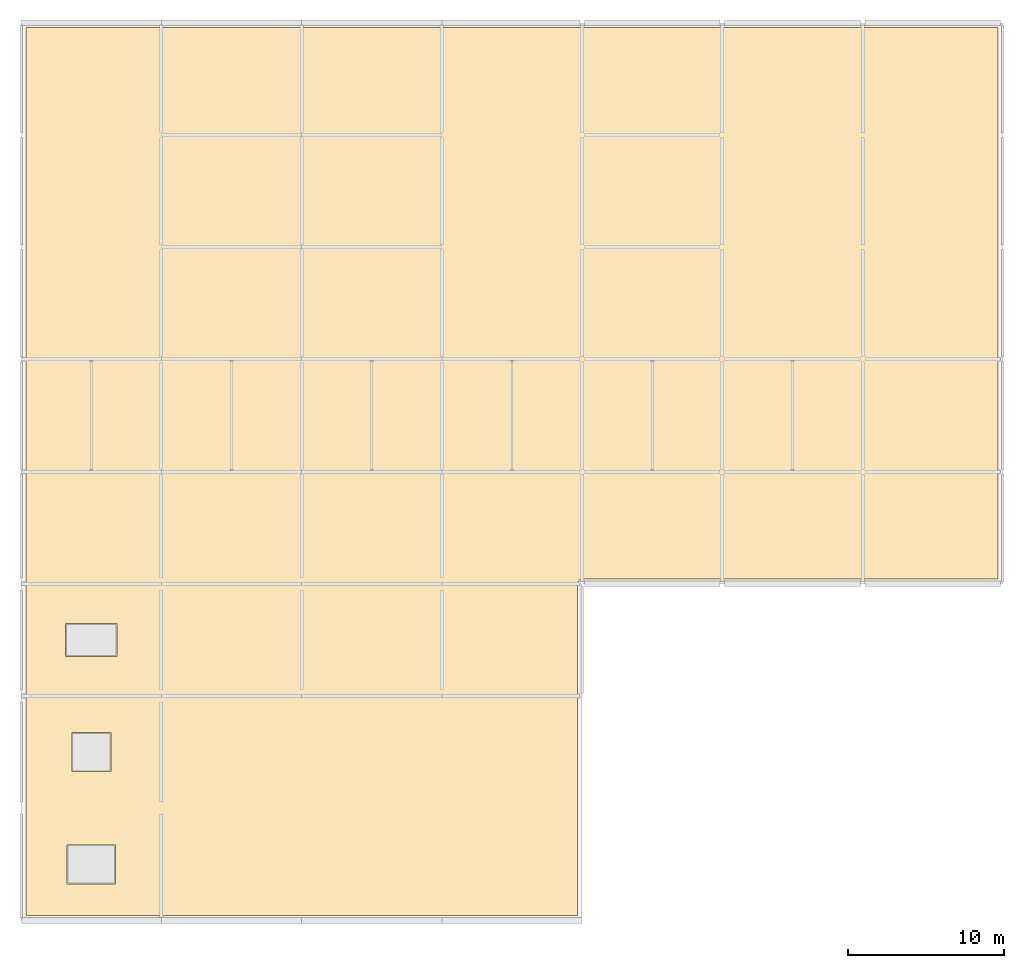
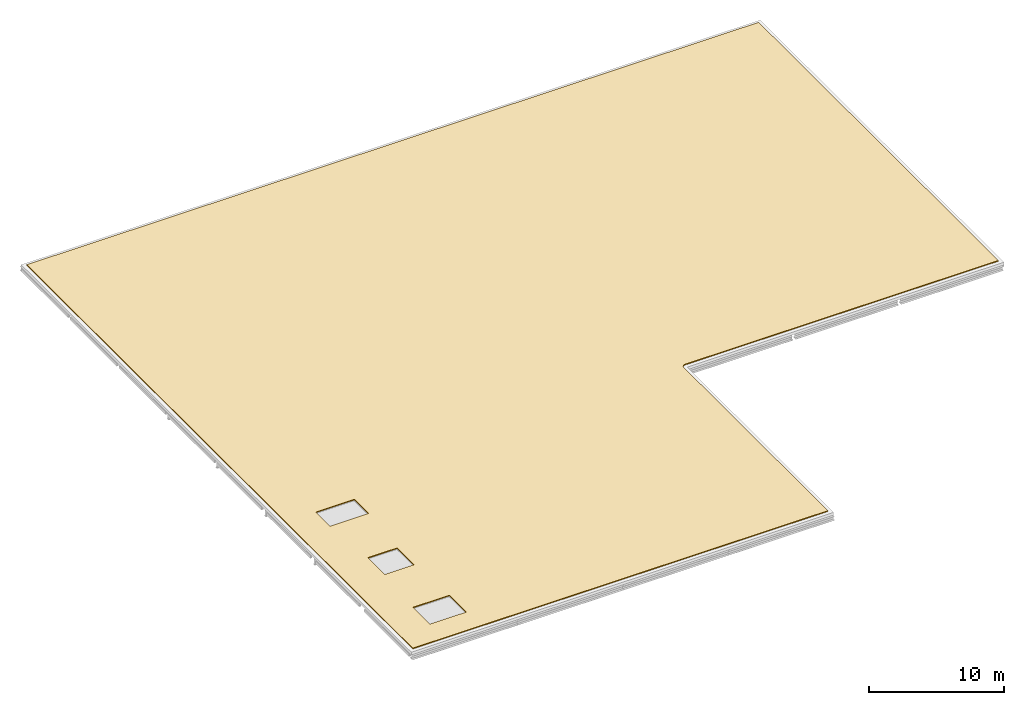
# One storey, part 7 of 7: 1 covering.
"""IFC4 building model written with IfcOpenShell, lengths in metres."""

from ifc_helpers import new_model, si_unit, direction, frame, origin, place, context, subcontext, project, spatial, polyline, outline, extrude, material, layer, layer_set, type_object, element, save


model = new_model("IFC4")

# Units and contexts
model_context = context("Model", 3, precision=1e-05, world=origin(), true_north=direction((0.0, 1.0)))
body_context = subcontext(model_context, "Body", "Model", "MODEL_VIEW")
ifc_project = project(units=[si_unit("LENGTHUNIT", "METRE"), si_unit("AREAUNIT", "SQUARE_METRE"), si_unit("VOLUMEUNIT", "CUBIC_METRE"), si_unit("PLANEANGLEUNIT", "RADIAN"), si_unit("MASSUNIT", "GRAM", prefix="KILO")], contexts=[model_context])

# Site, building, storey
site_placement = place(None, origin())
site = spatial("IfcSite", under=ifc_project, at=site_placement, CompositionType="ELEMENT")
building_placement = place(site_placement, origin())
building = spatial("IfcBuilding", under=site, at=building_placement, Name="Celestram Park Convention Centre", CompositionType="ELEMENT")
storey_placement = place(building_placement, frame((0.0, 0.0, 28.800048828125)))
storey = spatial("IfcBuildingStorey", under=building, at=storey_placement, Name="RF", CompositionType="ELEMENT", Elevation=28.800048828125)

# Covering
ifc_material = material(Name="TPO Membrane & Polyisocyanurate Roof Insulation", Category="insulation")
ifc_layer = layer(ifc_material, 0.080078125)
ifc_layer_set = layer_set([ifc_layer], Name="TPO Membrane & Polyisocyanurate Roof Insulation")
covering_type = type_object("IfcCoveringType", Name="ARC-COV-RFG180", PredefinedType="ROOFING", material=ifc_layer_set)
covering_placement = place(storey_placement, origin())
element("IfcCovering", 1, at=covering_placement, inside=storey, type_object=covering_type, Name="Insulated TPO roof membrane RFG-RF-06", PredefinedType="ROOFING", context=body_context, shape_type="SweptSolid", body=[
    extrude(outline(polyline([(98.699951171875, 165.300048828125), (98.699951171875, 129.89990234375), (72.0, 129.89990234375), (71.970703125, 129.898681640625), (71.94140625, 129.894287109375), (71.912841796875, 129.88720703125), (71.88525390625, 129.877197265625), (71.858642578125, 129.864501953125), (71.833251953125, 129.849365234375), (71.809814453125, 129.831787109375), (71.787841796875, 129.81201171875), (71.76806640625, 129.790283203125), (71.75048828125, 129.7666015625), (71.7353515625, 129.741455078125), (71.722900390625, 129.71484375), (71.712890625, 129.68701171875), (71.705810546875, 129.658447265625), (71.701416015625, 129.62939453125), (71.699951171875, 129.60009765625), (71.699951171875, 108.300048828125), (36.300048828125, 108.300048828125), (36.300048828125, 165.300048828125), (98.699951171875, 165.300048828125)]), holes=[polyline([(42.050048828125, 110.35009765625), (42.050048828125, 112.85009765625), (38.949951171875, 112.85009765625), (38.949951171875, 110.35009765625), (42.050048828125, 110.35009765625)]), polyline([(39.25, 117.550048828125), (41.75, 117.550048828125), (41.75, 120.050048828125), (39.25, 120.050048828125), (39.25, 117.550048828125)]), polyline([(38.85009765625, 124.949951171875), (42.14990234375, 124.949951171875), (42.14990234375, 127.050048828125), (38.85009765625, 127.050048828125), (38.85009765625, 124.949951171875)])]), origin(), (0.0, 0.0, 1.0), 0.079833984375),
])

save(model, "model.ifc")
